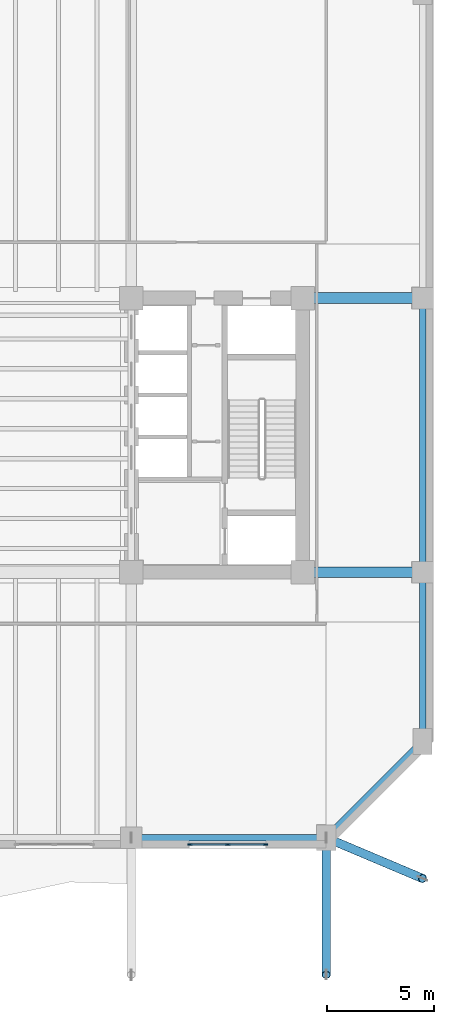
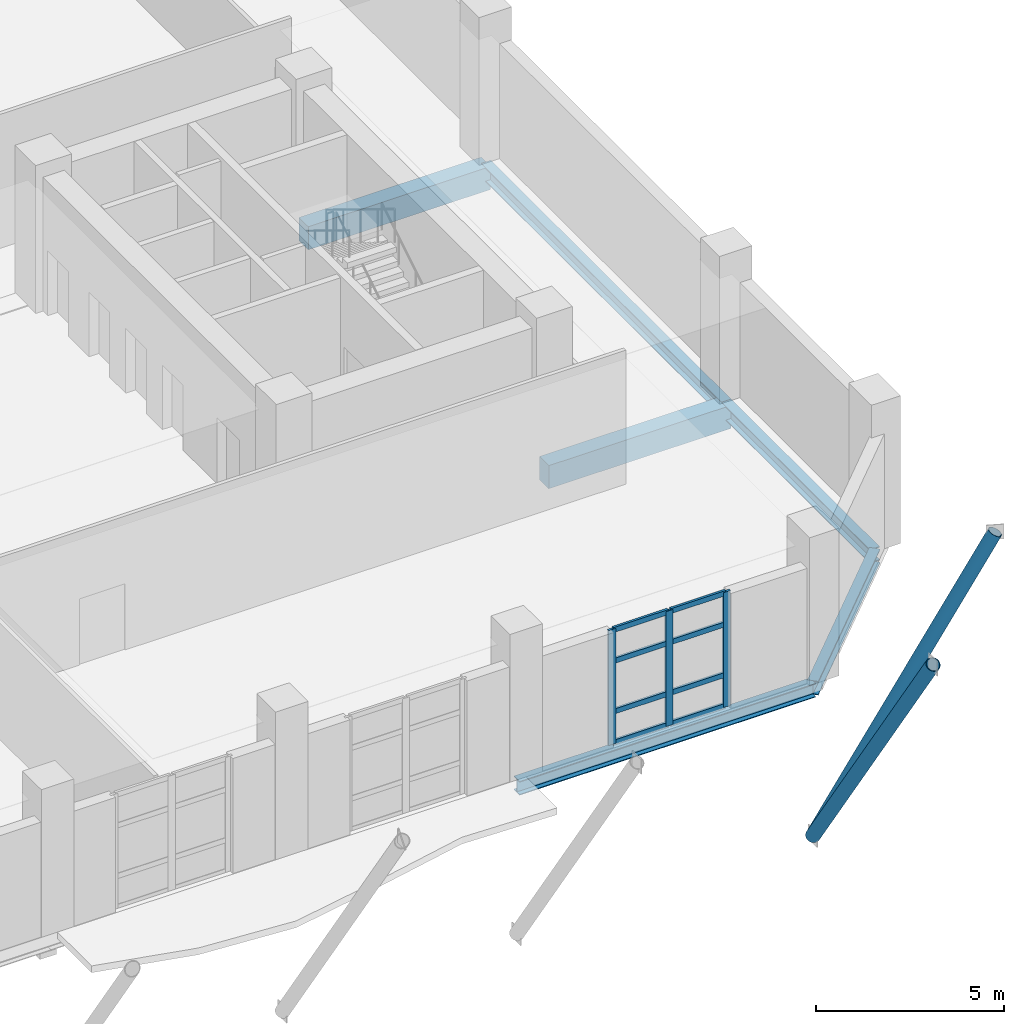
# One storey, part 4 of 16: 13 members, 6 beams, 1 element without a shape of its own.
"""IFC4 building model written with IfcOpenShell, lengths in metres."""

from ifc_helpers import new_model, si_unit, direction, frame, origin, origin_2d, place, context, subcontext, project, spatial, rectangle, hollow_circle, i_section, extrude, material, layer, layer_set, material_profile, profile_set, type_object, element, aggregate, save


model = new_model("IFC4")

# Units and contexts
model_context = context("Model", 3, precision=1e-05, world=origin(), true_north=direction((0.0, 1.0)))
body_context = subcontext(model_context, "Body", "Model", "MODEL_VIEW")
ifc_project = project(units=[si_unit("LENGTHUNIT", "METRE"), si_unit("AREAUNIT", "SQUARE_METRE"), si_unit("VOLUMEUNIT", "CUBIC_METRE"), si_unit("PLANEANGLEUNIT", "RADIAN"), si_unit("MASSUNIT", "GRAM", prefix="KILO")], contexts=[model_context])

# Site, building, storey
site_placement = place(None, origin())
site = spatial("IfcSite", under=ifc_project, at=site_placement, CompositionType="ELEMENT")
building_placement = place(site_placement, origin())
building = spatial("IfcBuilding", under=site, at=building_placement, Name="Kranthara Brick Stack", CompositionType="ELEMENT")
storey_placement = place(building_placement, frame((0.0, 0.0, 115.5)))
storey = spatial("IfcBuildingStorey", under=building, at=storey_placement, Name="L28", CompositionType="ELEMENT", Elevation=115.5)

# Beams
ifc_material_1 = material(Name="Post-tensioned concrete C45/55", Category="concrete")
ifc_material_profile_1 = material_profile(ifc_material_1, rectangle(XDim=0.5, YDim=0.75, at=origin_2d()), Name="PT 500x750")
ifc_profile_set_1 = profile_set([ifc_material_profile_1], Name="Post-tensioned concrete C45/55")
beam_type_1 = type_object("IfcBeamType", Name="BM-FLR-PT750", PredefinedType="BEAM", material=ifc_profile_set_1)
for number, where, z_axis, x_axis, name in (
    (1, (43.199951171875, 20.800048828125, -0.735107421875), (1.0, 0.0, 0.0), (0.0, 1.0, 0.0), "L28 Primary Grid Girder 031"),
    (2, (43.199951171875, 33.60009765625, -0.735107421875), (1.0, 0.0, 0.0), (0.0, 1.0, 0.0), "L28 Primary Grid Girder 033"),
):
    element("IfcBeam", number, at=place(storey_placement, frame(where, z_axis=z_axis, x_axis=x_axis)), inside=storey, type_object=beam_type_1, Name=name, PredefinedType="BEAM", context=body_context, shape_type="SweptSolid", body=[
        extrude(rectangle(XDim=0.5, YDim=0.75, at=origin_2d()), origin(), (0.0, 0.0, 1.0), 5.60009765625),
    ])
ifc_material_2 = material(Name="Steel S355", Category="steel")
ifc_material_profile_2 = material_profile(ifc_material_2, i_section(OverallWidth=0.300048828125, OverallDepth=0.449951171875, WebThickness=0.013916015625, FlangeThickness=0.02587890625, at=origin_2d()), Name="HEB 450")
ifc_profile_set_2 = profile_set([ifc_material_profile_2], Name="Steel S355")
beam_type_2 = type_object("IfcBeamType", Name="BM-STL-HEB450", PredefinedType="SPANDREL", material=ifc_profile_set_2)
beam_1_placement = place(storey_placement, frame((35.199951171875, 8.39990234375, -0.5849609375), z_axis=(1.0, 0.0, 0.0), x_axis=(0.0, 1.0, 0.0)))
element("IfcBeam", 3, at=beam_1_placement, inside=storey, type_object=beam_type_2, Name="L28 Perimeter Spandrel Beam 008", PredefinedType="SPANDREL", context=body_context, shape_type="SweptSolid", body=[
    extrude(i_section(OverallWidth=0.300048828125, OverallDepth=0.449951171875, WebThickness=0.013916015625, FlangeThickness=0.02587890625, at=origin_2d()), origin(), (0.0, 0.0, 1.0), 9.10009765625),
])
beam_2_placement = place(storey_placement, frame((48.800048828125, 12.89990234375, -0.5849609375), z_axis=(0.0, 1.0, 0.0), x_axis=(-1.0, 0.0, 0.0)))
element("IfcBeam", 4, at=beam_2_placement, inside=storey, type_object=beam_type_2, Name="L28 Perimeter Spandrel Beam 016", PredefinedType="SPANDREL", context=body_context, shape_type="SweptSolid", body=[
    extrude(i_section(OverallWidth=0.300048828125, OverallDepth=0.449951171875, WebThickness=0.013916015625, FlangeThickness=0.02587890625, at=origin_2d()), origin(), (0.0, 0.0, 1.0), 7.900146484375),
])
beam_3_placement = place(storey_placement, frame((48.800048828125, 20.800048828125, -0.5849609375), z_axis=(0.0, 1.0, 0.0), x_axis=(-1.0, 0.0, 0.0)))
element("IfcBeam", 5, at=beam_3_placement, inside=storey, type_object=beam_type_2, Name="L28 Perimeter Spandrel Beam 017", PredefinedType="SPANDREL", context=body_context, shape_type="SweptSolid", body=[
    extrude(i_section(OverallWidth=0.300048828125, OverallDepth=0.449951171875, WebThickness=0.013916015625, FlangeThickness=0.02587890625, at=origin_2d()), origin(), (0.0, 0.0, 1.0), 12.800048828125),
])
beam_4_placement = place(storey_placement, frame((44.300048828125, 8.39990234375, -0.5849609375), z_axis=(0.707106781187, 0.707106781187, 0.0), x_axis=(-0.707106781187, 0.707106781187, 0.0)))
element("IfcBeam", 6, at=beam_4_placement, inside=storey, type_object=beam_type_2, Name="L28 Chamfer Corner Spandrel 020", PredefinedType="SPANDREL", context=body_context, shape_type="SweptSolid", body=[
    extrude(i_section(OverallWidth=0.300048828125, OverallDepth=0.449951171875, WebThickness=0.013916015625, FlangeThickness=0.02587890625, at=origin_2d()), origin(), (0.0, 0.0, 1.0), 6.364013671875),
])

# Curtain wall, members
ifc_material_3 = material(Name="Bronze anodised aluminium and low-E glass", Category="aluminium")
ifc_layer = layer(ifc_material_3, 0.219970703125)
ifc_layer_set = layer_set([ifc_layer], Name="Bronze anodised aluminium and low-E glass")
curtain_wall_type = type_object("IfcCurtainWallType", Name="CW-SYS3-SKYLOBBY1", PredefinedType="USERDEFINED", material=ifc_layer_set)
curtain_wall_placement = place(storey_placement, origin())
curtain_wall = element("IfcCurtainWall", 7, at=curtain_wall_placement, inside=storey, type_object=curtain_wall_type, Name="L28 Curtain Wall CW3-L28-01", ObjectType="UNITISED CURTAIN WALL", PredefinedType="USERDEFINED")
ifc_material_4 = material(Name="Bronze anodised aluminium 6063-T6", Category="aluminium")
ifc_material_profile_3 = material_profile(ifc_material_4, rectangle(XDim=0.074951171875, YDim=0.219970703125, at=origin_2d()), Name="ALU MULLION 75x220")
ifc_profile_set_3 = profile_set([ifc_material_profile_3], Name="Bronze anodised aluminium 6063-T6")
member_type_1 = type_object("IfcMemberType", Name="CWM-75x220", PredefinedType="MULLION", material=ifc_profile_set_3)
member_1_placement = place(storey_placement, frame((41.46240234375, 8.094970703125, 0.0), z_axis=(0.0, 0.0, 1.0), x_axis=(0.0, -1.0, 0.0)))
member_1 = element("IfcMember", 8, at=member_1_placement, type_object=member_type_1, Name="CW mullion 1", PredefinedType="MULLION", context=body_context, shape_type="SweptSolid", body=[
    extrude(rectangle(XDim=0.074951171875, YDim=0.219970703125, at=origin_2d()), origin(), (0.0, 0.0, 1.0), 3.735107421875),
])
member_2_placement = place(storey_placement, frame((39.699951171875, 8.094970703125, 0.0), z_axis=(0.0, 0.0, 1.0), x_axis=(0.0, -1.0, 0.0)))
member_2 = element("IfcMember", 9, at=member_2_placement, type_object=member_type_1, Name="CW mullion 2", PredefinedType="MULLION", context=body_context, shape_type="SweptSolid", body=[
    extrude(rectangle(XDim=0.074951171875, YDim=0.219970703125, at=origin_2d()), origin(), (0.0, 0.0, 1.0), 3.735107421875),
])
member_3_placement = place(storey_placement, frame((37.9375, 8.094970703125, 0.0), z_axis=(0.0, 0.0, 1.0), x_axis=(0.0, -1.0, 0.0)))
member_3 = element("IfcMember", 10, at=member_3_placement, type_object=member_type_1, Name="CW mullion 3", PredefinedType="MULLION", context=body_context, shape_type="SweptSolid", body=[
    extrude(rectangle(XDim=0.074951171875, YDim=0.219970703125, at=origin_2d()), origin(), (0.0, 0.0, 1.0), 3.735107421875),
])
ifc_material_5 = material(Name="Bronze anodised aluminium 6063-T6", Category="aluminium")
ifc_material_profile_4 = material_profile(ifc_material_5, rectangle(XDim=0.074951171875, YDim=0.1650390625, at=origin_2d()), Name="ALU TRANSOM 75x165")
ifc_profile_set_4 = profile_set([ifc_material_profile_4], Name="Bronze anodised aluminium 6063-T6")
member_type_2 = type_object("IfcMemberType", Name="CWT-75x165", PredefinedType="USERDEFINED", material=ifc_profile_set_4)
member_4_placement = place(storey_placement, frame((41.425048828125, 8.094970703125, 0.03759765625), z_axis=(-1.0, 0.0, 0.0), x_axis=(0.0, -1.0, 0.0)))
member_4 = element("IfcMember", 11, at=member_4_placement, type_object=member_type_2, Name="CW transom 1.1", ObjectType="TRANSOM", PredefinedType="USERDEFINED", context=body_context, shape_type="SweptSolid", body=[
    extrude(rectangle(XDim=0.074951171875, YDim=0.1650390625, at=origin_2d()), origin(), (0.0, 0.0, 1.0), 1.6875),
])
member_5_placement = place(storey_placement, frame((41.425048828125, 8.094970703125, 1.0458984375), z_axis=(-1.0, 0.0, 0.0), x_axis=(0.0, -1.0, 0.0)))
member_5 = element("IfcMember", 12, at=member_5_placement, type_object=member_type_2, Name="CW transom 1.2", ObjectType="TRANSOM", PredefinedType="USERDEFINED", context=body_context, shape_type="SweptSolid", body=[
    extrude(rectangle(XDim=0.074951171875, YDim=0.1650390625, at=origin_2d()), origin(), (0.0, 0.0, 1.0), 1.6875),
])
member_6_placement = place(storey_placement, frame((41.425048828125, 8.094970703125, 2.689208984375), z_axis=(-1.0, 0.0, 0.0), x_axis=(0.0, -1.0, 0.0)))
member_6 = element("IfcMember", 13, at=member_6_placement, type_object=member_type_2, Name="CW transom 1.3", ObjectType="TRANSOM", PredefinedType="USERDEFINED", context=body_context, shape_type="SweptSolid", body=[
    extrude(rectangle(XDim=0.074951171875, YDim=0.1650390625, at=origin_2d()), origin(), (0.0, 0.0, 1.0), 1.6875),
])
member_7_placement = place(storey_placement, frame((41.425048828125, 8.094970703125, 3.697509765625), z_axis=(-1.0, 0.0, 0.0), x_axis=(0.0, -1.0, 0.0)))
member_7 = element("IfcMember", 14, at=member_7_placement, type_object=member_type_2, Name="CW transom 1.4", ObjectType="TRANSOM", PredefinedType="USERDEFINED", context=body_context, shape_type="SweptSolid", body=[
    extrude(rectangle(XDim=0.074951171875, YDim=0.1650390625, at=origin_2d()), origin(), (0.0, 0.0, 1.0), 1.6875),
])
member_8_placement = place(storey_placement, frame((39.66259765625, 8.094970703125, 0.03759765625), z_axis=(-1.0, 0.0, 0.0), x_axis=(0.0, -1.0, 0.0)))
member_8 = element("IfcMember", 15, at=member_8_placement, type_object=member_type_2, Name="CW transom 2.1", ObjectType="TRANSOM", PredefinedType="USERDEFINED", context=body_context, shape_type="SweptSolid", body=[
    extrude(rectangle(XDim=0.074951171875, YDim=0.1650390625, at=origin_2d()), origin(), (0.0, 0.0, 1.0), 1.6875),
])
member_9_placement = place(storey_placement, frame((39.66259765625, 8.094970703125, 1.0458984375), z_axis=(-1.0, 0.0, 0.0), x_axis=(0.0, -1.0, 0.0)))
member_9 = element("IfcMember", 16, at=member_9_placement, type_object=member_type_2, Name="CW transom 2.2", ObjectType="TRANSOM", PredefinedType="USERDEFINED", context=body_context, shape_type="SweptSolid", body=[
    extrude(rectangle(XDim=0.074951171875, YDim=0.1650390625, at=origin_2d()), origin(), (0.0, 0.0, 1.0), 1.6875),
])
member_10_placement = place(storey_placement, frame((39.66259765625, 8.094970703125, 2.689208984375), z_axis=(-1.0, 0.0, 0.0), x_axis=(0.0, -1.0, 0.0)))
member_10 = element("IfcMember", 17, at=member_10_placement, type_object=member_type_2, Name="CW transom 2.3", ObjectType="TRANSOM", PredefinedType="USERDEFINED", context=body_context, shape_type="SweptSolid", body=[
    extrude(rectangle(XDim=0.074951171875, YDim=0.1650390625, at=origin_2d()), origin(), (0.0, 0.0, 1.0), 1.6875),
])
member_11_placement = place(storey_placement, frame((39.66259765625, 8.094970703125, 3.697509765625), z_axis=(-1.0, 0.0, 0.0), x_axis=(0.0, -1.0, 0.0)))
member_11 = element("IfcMember", 18, at=member_11_placement, type_object=member_type_2, Name="CW transom 2.4", ObjectType="TRANSOM", PredefinedType="USERDEFINED", context=body_context, shape_type="SweptSolid", body=[
    extrude(rectangle(XDim=0.074951171875, YDim=0.1650390625, at=origin_2d()), origin(), (0.0, 0.0, 1.0), 1.6875),
])
aggregate(curtain_wall, [member_1, member_2, member_3, member_4, member_5, member_6, member_7, member_8, member_9, member_10, member_11])

# Members
ifc_material_6 = material(Name="Steel S460", Category="steel")
ifc_material_profile_5 = material_profile(ifc_material_6, hollow_circle(Radius=0.203125, WallThickness=0.02001953125, at=origin_2d()), Name="CHS 406.4x20")
ifc_profile_set_5 = profile_set([ifc_material_profile_5], Name="Steel S460")
member_type_3 = type_object("IfcMemberType", Name="MB-STR-CHS406", PredefinedType="STRUT", material=ifc_profile_set_5)
member_12_placement = place(storey_placement, frame((44.300048828125, 8.39990234375, -5.39990234375), z_axis=(0.0, -0.560747395147, 0.827986931561), x_axis=(1.0, 0.0, 0.0)))
element("IfcMember", 19, at=member_12_placement, inside=storey, type_object=member_type_3, Name="L29 Jenga Raked Transfer Strut 24", PredefinedType="STRUT", context=body_context, shape_type="SweptSolid", body=[
    extrude(hollow_circle(Radius=0.203125, WallThickness=0.02001953125, at=origin_2d()), origin(), (0.0, 0.0, 1.0), 11.4130859375),
])
member_13_placement = place(storey_placement, frame((44.300048828125, 8.39990234375, -5.39990234375), z_axis=(0.423022755682, -0.178600427773, 0.888343196841), x_axis=(0.388955069282, 0.921256725392, 0.0)))
element("IfcMember", 20, at=member_13_placement, inside=storey, type_object=member_type_3, Name="L29 Jenga Raked Transfer Strut 26", PredefinedType="STRUT", context=body_context, shape_type="SweptSolid", body=[
    extrude(hollow_circle(Radius=0.203125, WallThickness=0.02001953125, at=origin_2d()), origin(), (0.0, 0.0, 1.0), 10.6376953125),
])

save(model, "model.ifc")
